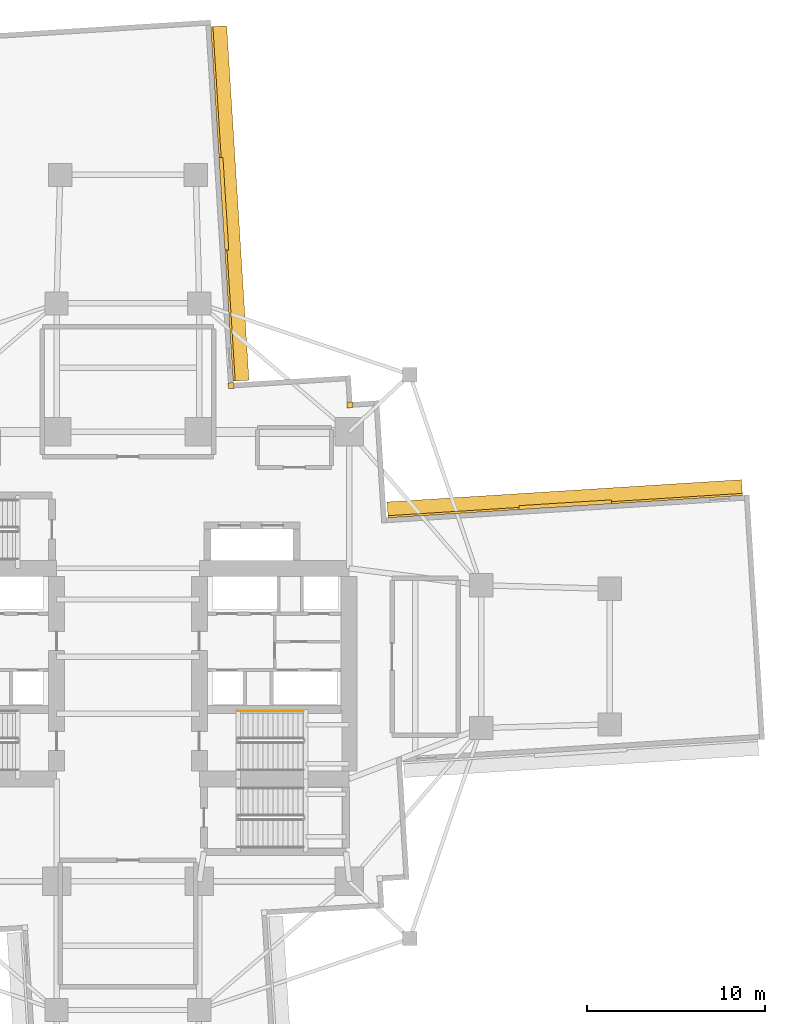
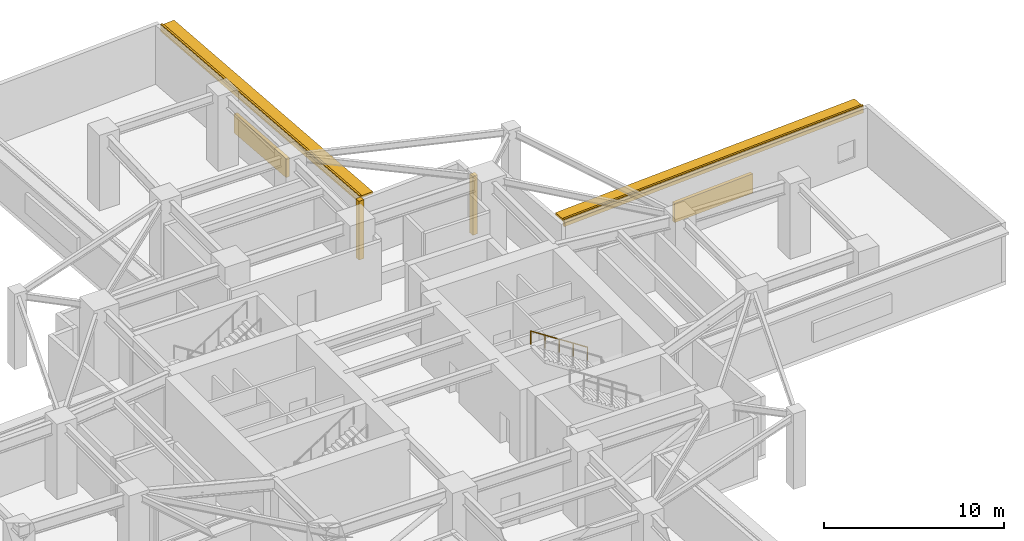
# One storey, part 11 of 11: 4 coverings, 4 shading devices, 1 railing.
"""IFC4 building model written with IfcOpenShell, lengths in metres."""

from ifc_helpers import new_model, si_unit, direction, frame, origin, origin_2d, place, context, subcontext, project, spatial, rectangle, circle, extrude, material, layer, layer_set, type_object, element, save


model = new_model("IFC4")

# Units and contexts
model_context = context("Model", 3, precision=1e-05, world=origin(), true_north=direction((0.0, 1.0)))
body_context = subcontext(model_context, "Body", "Model", "MODEL_VIEW")
ifc_project = project(units=[si_unit("LENGTHUNIT", "METRE"), si_unit("AREAUNIT", "SQUARE_METRE"), si_unit("VOLUMEUNIT", "CUBIC_METRE"), si_unit("PLANEANGLEUNIT", "RADIAN"), si_unit("MASSUNIT", "GRAM", prefix="KILO")], contexts=[model_context])

# Site, building, storey
site_placement = place(None, origin())
site = spatial("IfcSite", under=ifc_project, at=site_placement, CompositionType="ELEMENT")
building_placement = place(site_placement, origin())
building = spatial("IfcBuilding", under=site, at=building_placement, Name="Qingluan Cross Belvedere", CompositionType="ELEMENT")
storey_placement = place(building_placement, frame((0.0, 0.0, 47.10009765625)))
storey = spatial("IfcBuildingStorey", under=building, at=storey_placement, Name="L12", CompositionType="ELEMENT", Elevation=47.10009765625)

# Coverings
ifc_material_1 = material(Name="Precast concrete C45", Category="concrete")
ifc_layer_1 = layer(ifc_material_1, 0.1201171875, Name="ConcreteSpandrelCladding_120")
ifc_layer_set_1 = layer_set([ifc_layer_1], Name="Precast concrete C45")
covering_type = type_object("IfcCoveringType", Name="ConcreteSpandrelCladding_120", PredefinedType="CLADDING", material=ifc_layer_set_1)
for number, where, z_axis, x_axis, name in (
    (1, (24.5068359375, 8.465576171875, 3.519775390625), (0.0, 0.0, 1.0), (-0.998026688207, -0.062791158819, 0.0), "Spandrel cladding L12-EB"),
    (2, (5.3271484375, 25.37451171875, 3.519775390625), (0.0, 0.0, 1.0), (-0.062786203294, 0.998026999973, 0.0), "Spandrel cladding L12-NA"),
):
    element("IfcCovering", number, at=place(storey_placement, frame(where, z_axis=z_axis, x_axis=x_axis)), inside=storey, type_object=covering_type, Name=name, PredefinedType="CLADDING", context=body_context, shape_type="SweptSolid", body=[
        extrude(rectangle(XDim=19.89990234375, YDim=0.1201171875, at=origin_2d()), origin(), (0.0, 0.0, 1.0), 0.52001953125),
    ])
for number, where, z_axis, x_axis, name in (
    (3, (12.438720703125, 14.10888671875, 0.0), (0.0, 0.0, 1.0), (0.998026728428, 0.062790519529, 0.0), "Corner closure L12-NE1"),
    (4, (5.77734375, 15.192626953125, 0.0), (0.0, 0.0, 1.0), (0.998026728428, 0.062790519529, 0.0), "Corner closure L12-NE2"),
):
    element("IfcCovering", number, at=place(storey_placement, frame(where, z_axis=z_axis, x_axis=x_axis)), inside=storey, type_object=covering_type, Name=name, PredefinedType="CLADDING", context=body_context, shape_type="SweptSolid", body=[
        extrude(rectangle(XDim=0.320068359375, YDim=0.320068359375, at=origin_2d()), origin(), (0.0, 0.0, 1.0), 3.97998046875),
    ])

# Shading devices
ifc_material_2 = material(Name="Precast concrete C45", Category="concrete")
ifc_layer_2 = layer(ifc_material_2, 0.159912109375, Name="ConcreteSunshadeBand_900")
ifc_layer_set_2 = layer_set([ifc_layer_2], Name="Precast concrete C45")
shading_device_type_1 = type_object("IfcShadingDeviceType", Name="ConcreteSunshadeBand_900", PredefinedType="USERDEFINED", material=ifc_layer_set_2)
for number, where, z_axis, x_axis, name in (
    (5, (24.48291015625, 8.8447265625, 3.7998046875), (0.0, 0.0, 1.0), (-0.998026688207, -0.062791158819, 0.0), "Concrete SUNSHADE L12-EB"),
    (6, (5.70654296875, 25.3984375, 3.7998046875), (0.0, 0.0, 1.0), (-0.062786203294, 0.998026999973, 0.0), "Concrete SUNSHADE L12-NA"),
):
    element("IfcShadingDevice", number, at=place(storey_placement, frame(where, z_axis=z_axis, x_axis=x_axis)), inside=storey, type_object=shading_device_type_1, Name=name, ObjectType="SUNSHADE", PredefinedType="USERDEFINED", context=body_context, shape_type="SweptSolid", body=[
        extrude(rectangle(XDim=19.89990234375, YDim=0.89990234375, at=origin_2d()), origin(), (0.0, 0.0, 1.0), 0.159912109375),
    ])
ifc_material_3 = material(Name="Anodised aluminium acoustic louvre screen", Category="aluminium")
ifc_layer_3 = layer(ifc_material_3, 0.219970703125, Name="RefugeAcousticLouvre_Screen")
ifc_layer_set_3 = layer_set([ifc_layer_3], Name="Anodised aluminium acoustic louvre screen")
shading_device_type_2 = type_object("IfcShadingDeviceType", Name="RefugeAcousticLouvre_Screen", PredefinedType="JALOUSIE", material=ifc_layer_set_3)
for number, where, z_axis, x_axis, name in (
    (7, (24.503662109375, 8.515380859375, 0.94970703125), (0.0, 0.0, 1.0), (-0.998026688207, -0.062791158819, 0.0), "Plant acoustic louvre SCREEN L12-EB"),
    (8, (5.377197265625, 25.377685546875, 0.94970703125), (0.0, 0.0, 1.0), (-0.062786203294, 0.998026999973, 0.0), "Plant acoustic louvre SCREEN L12-NA"),
):
    element("IfcShadingDevice", number, at=place(storey_placement, frame(where, z_axis=z_axis, x_axis=x_axis)), inside=storey, type_object=shading_device_type_2, Name=name, PredefinedType="JALOUSIE", context=body_context, shape_type="SweptSolid", body=[
        extrude(rectangle(XDim=5.199951171875, YDim=0.219970703125, at=origin_2d()), origin(), (0.0, 0.0, 1.0), 1.300048828125),
    ])

# Railing
ifc_material_4 = material(Name="Brushed stainless steel tubular handrail", Category="steel")
railing_type = type_object("IfcRailingType", Name="StairPitchHandrail_900", PredefinedType="HANDRAIL", material=ifc_material_4)
railing_placement = place(storey_placement, frame((9.820068359375, -3.050048828125, 2.73193359375)))
element("IfcRailing", 9, at=railing_placement, inside=storey, type_object=railing_type, Name="L12 ST2 stair handrail 2", PredefinedType="HANDRAIL", context=body_context, shape_type="SweptSolid", body=[
    extrude(circle(Radius=0.02392578125, at=origin_2d()), frame((0.0, 0.0, 0.8759765625), z_axis=(-0.83825089185, 0.0, 0.545284735081), x_axis=(0.0, -1.0, 0.0)), (0.0, 0.0, 1.0), 4.342529296875),
    extrude(circle(Radius=0.02099609375, at=origin_2d()), origin(), (0.0, 0.0, 1.0), 0.851806640625),
    extrude(circle(Radius=0.02099609375, at=origin_2d()), frame((-0.91015625, 0.0, 0.592041015625)), (0.0, 0.0, 1.0), 0.851806640625),
    extrude(circle(Radius=0.02099609375, at=origin_2d()), frame((-1.820068359375, 0.0, 1.18408203125)), (0.0, 0.0, 1.0), 0.851806640625),
    extrude(circle(Radius=0.02099609375, at=origin_2d()), frame((-2.72998046875, 0.0, 1.77587890625)), (0.0, 0.0, 1.0), 0.851806640625),
    extrude(circle(Radius=0.02099609375, at=origin_2d()), frame((-3.64013671875, 0.0, 2.367919921875)), (0.0, 0.0, 1.0), 0.851806640625),
])

save(model, "model.ifc")
